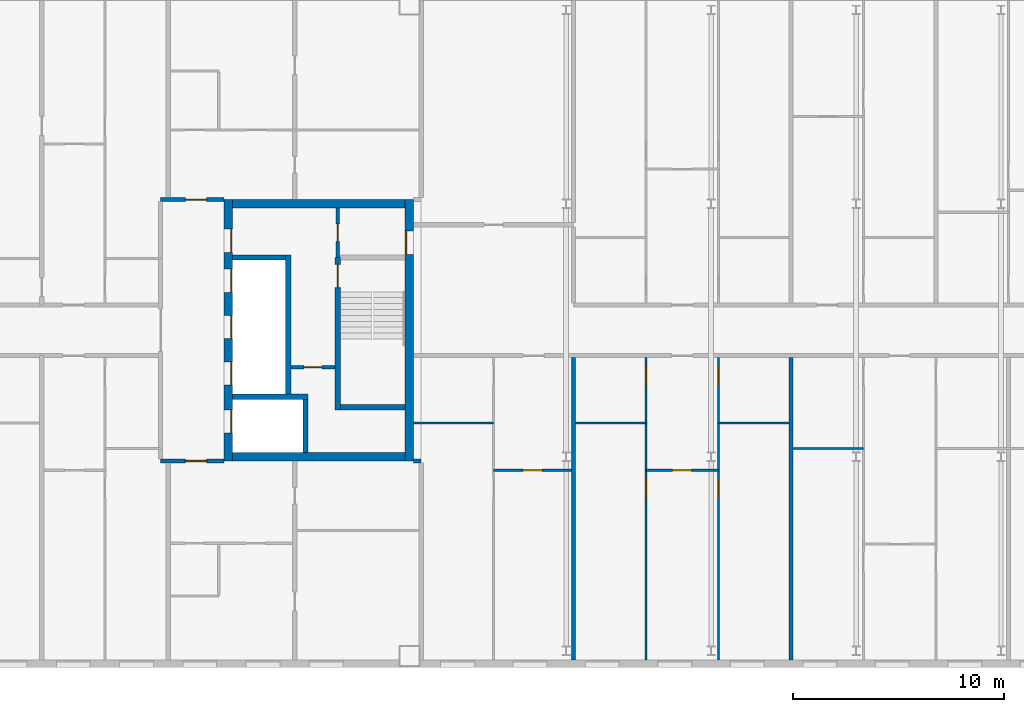
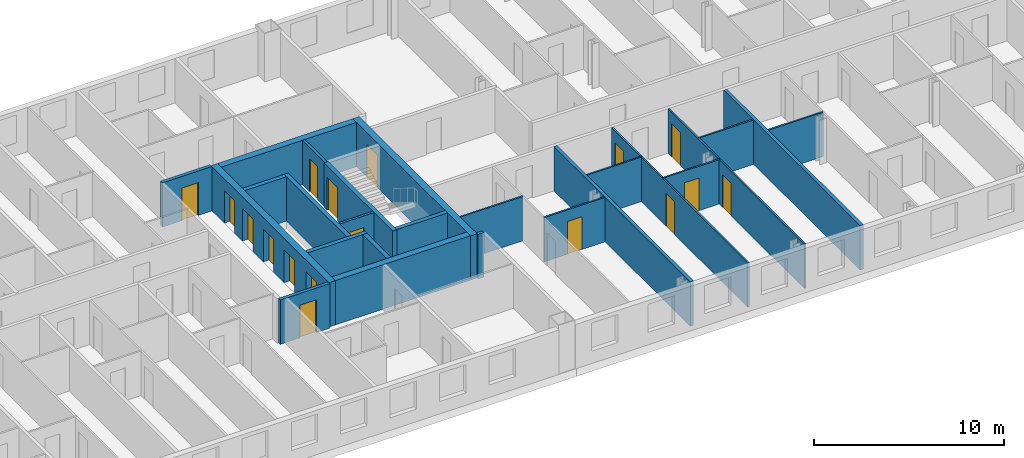
# One storey, part 8 of 19: 25 walls, 17 doors, 17 openings.
"""IFC4 building model written with IfcOpenShell, lengths in metres."""

from ifc_helpers import new_model, si_unit, direction, frame, frame_2d, origin, place, context, subcontext, project, spatial, rectangle, extrude, material, layer, layer_set, type_object, element, fill, save


model = new_model("IFC4")

# Units and contexts
model_context = context("Model", 3, precision=1e-05, world=origin(), true_north=direction((0.0, 1.0)))
body_context = subcontext(model_context, "Body", "Model", "MODEL_VIEW")
ifc_project = project(units=[si_unit("LENGTHUNIT", "METRE"), si_unit("AREAUNIT", "SQUARE_METRE"), si_unit("VOLUMEUNIT", "CUBIC_METRE"), si_unit("PLANEANGLEUNIT", "RADIAN"), si_unit("MASSUNIT", "GRAM", prefix="KILO")], contexts=[model_context])

# Site, building, storey
site_placement = place(None, origin())
site = spatial("IfcSite", under=ifc_project, at=site_placement, CompositionType="ELEMENT")
building_placement = place(site_placement, origin())
building = spatial("IfcBuilding", under=site, at=building_placement, Name="Tuart Gate Housing", CompositionType="ELEMENT")
storey_placement = place(building_placement, frame((0.0, 0.0, 202.800048828125)))
storey = spatial("IfcBuildingStorey", under=building, at=storey_placement, Name="L57", CompositionType="ELEMENT", Elevation=202.800048828125)

# Wall, opening, door
ifc_material_1 = material(Name="Plasterboard partition")
ifc_layer_1 = layer(ifc_material_1, 0.14990234375)
ifc_layer_set_1 = layer_set([ifc_layer_1], Name="Core partition 150")
wall_type_1 = type_object("IfcWallType", Name="Core partition 150", PredefinedType="PARTITIONING", material=ifc_layer_set_1)
wall_1_placement = place(storey_placement, frame((69.81494140625, 68.25, 0.0), z_axis=(0.0, 0.0, 1.0), x_axis=(1.0, 0.0, 0.0)))
wall_1 = element("IfcWall", 1, at=wall_1_placement, inside=storey, type_object=wall_type_1, Name="Core partition AG.3", PredefinedType="PARTITIONING", context=body_context, shape_type="SweptSolid", body=[
    extrude(rectangle(XDim=2.10009765625, YDim=0.14990234375, at=frame_2d((1.050048828125, 0.0))), origin(), (0.0, 0.0, 1.0), 2.849853515625),
])
opening_1_placement = place(wall_1_placement, frame((0.625, 0.0, 0.0)))
opening_1 = element("IfcOpeningElement", 2, at=opening_1_placement, cuts=wall_1, Name="Opening D1981", PredefinedType="OPENING", context=body_context, shape_type="SweptSolid", body=[
    extrude(rectangle(XDim=0.85009765625, YDim=2.10009765625, at=frame_2d((0.425048828125, 1.050048828125))), frame((0.0, 0.0849609375, 0.0), z_axis=(0.0, -1.0, 0.0), x_axis=(1.0, 0.0, 0.0)), (0.0, 0.0, 1.0), 0.169921875),
])
ifc_material_2 = material(Name="Steel fire door", Category="steel")
door_type_1 = type_object("IfcDoorType", Name="Riser door 850 x 2100 RH", OperationType="SINGLE_SWING_RIGHT", PredefinedType="DOOR", material=ifc_material_2)
door_1_placement = place(opening_1_placement, frame((0.85009765625, 0.0, 0.0), z_axis=(0.0, 0.0, 1.0), x_axis=(-1.0, 0.0, 0.0)))
door_1 = element("IfcDoor", 3, at=door_1_placement, inside=storey, type_object=door_type_1, Name="Service room door AG.E1", OperationType="SINGLE_SWING_RIGHT", OverallHeight=2.10009765625, OverallWidth=0.85009765625, PredefinedType="DOOR", context=body_context, shape_type="SweptSolid", body=[
    extrude(rectangle(XDim=0.85009765625, YDim=2.10009765625, at=frame_2d((0.425048828125, 1.050048828125))), frame((0.0, 0.025146484375, 0.0), z_axis=(0.0, -1.0, 0.0), x_axis=(1.0, 0.0, 0.0)), (0.0, 0.0, 1.0), 0.050048828125),
])
fill(opening_1, door_1)

wall_2_placement = place(storey_placement, frame((72.0400390625, 73.449951171875, 0.0), z_axis=(0.0, 0.0, 1.0), x_axis=(0.0, 1.0, 0.0)))
wall_2 = element("IfcWall", 4, at=wall_2_placement, inside=storey, type_object=wall_type_1, Name="Core partition AG.9", PredefinedType="PARTITIONING", context=body_context, shape_type="SweptSolid", body=[
    extrude(rectangle(XDim=2.35009765625, YDim=0.14990234375, at=frame_2d((1.175048828125, 0.0))), origin(), (0.0, 0.0, 1.0), 2.849853515625),
])
opening_2_placement = place(wall_2_placement, frame((0.75, 0.0, 0.0)))
opening_2 = element("IfcOpeningElement", 5, at=opening_2_placement, cuts=wall_2, Name="Opening D1966", PredefinedType="OPENING", context=body_context, shape_type="SweptSolid", body=[
    extrude(rectangle(XDim=0.85009765625, YDim=2.10009765625, at=frame_2d((0.425048828125, 1.050048828125))), frame((0.0, 0.0849609375, 0.0), z_axis=(0.0, -1.0, 0.0), x_axis=(1.0, 0.0, 0.0)), (0.0, 0.0, 1.0), 0.169921875),
])
ifc_material_3 = material(Name="Steel fire door", Category="steel")
door_type_2 = type_object("IfcDoorType", Name="Service door 850 x 2100 RH", OperationType="SINGLE_SWING_RIGHT", PredefinedType="DOOR", material=ifc_material_3)
door_2_placement = place(opening_2_placement, frame((0.85009765625, 0.0, 0.0), z_axis=(0.0, 0.0, 1.0), x_axis=(-1.0, 0.0, 0.0)))
door_2 = element("IfcDoor", 6, at=door_2_placement, inside=storey, type_object=door_type_2, Name="Service room door AG.ST", OperationType="SINGLE_SWING_RIGHT", OverallHeight=2.10009765625, OverallWidth=0.85009765625, PredefinedType="DOOR", context=body_context, shape_type="SweptSolid", body=[
    extrude(rectangle(XDim=0.85009765625, YDim=2.10009765625, at=frame_2d((0.425048828125, 1.050048828125))), frame((0.0, 0.025146484375, 0.0), z_axis=(0.0, -1.0, 0.0), x_axis=(1.0, 0.0, 0.0)), (0.0, 0.0, 1.0), 0.050048828125),
])
fill(opening_2, door_2)

# Walls
ifc_material_4 = material(Name="Concrete C40", Category="concrete")
ifc_layer_2 = layer(ifc_material_4, 0.25)
ifc_layer_set_2 = layer_set([ifc_layer_2], Name="Core wall 250 C40")
wall_type_2 = type_object("IfcWallType", Name="Core wall 250 C40", PredefinedType="SHEAR", material=ifc_layer_set_2)
wall_3_placement = place(storey_placement, frame((72.1650390625, 66.35009765625, 0.0), z_axis=(0.0, 0.0, 1.0), x_axis=(1.0, 0.0, 0.0)))
element("IfcWall", 7, at=wall_3_placement, inside=storey, type_object=wall_type_2, Name="Core wall AG.1", PredefinedType="SHEAR", context=body_context, shape_type="SweptSolid", body=[
    extrude(rectangle(XDim=3.074951171875, YDim=0.25, at=frame_2d((1.53759765625, 0.0))), origin(), (0.0, 0.0, 1.0), 2.849853515625),
])
wall_4_placement = place(storey_placement, frame((67.0400390625, 66.85009765625, 0.0), z_axis=(0.0, 0.0, 1.0), x_axis=(1.0, 0.0, 0.0)))
element("IfcWall", 8, at=wall_4_placement, inside=storey, type_object=wall_type_2, Name="Core wall AG.2", PredefinedType="SHEAR", context=body_context, shape_type="SweptSolid", body=[
    extrude(rectangle(XDim=3.594970703125, YDim=0.25, at=frame_2d((1.79736328125, 0.0))), origin(), (0.0, 0.0, 1.0), 2.849853515625),
])
wall_5_placement = place(storey_placement, frame((67.0400390625, 73.449951171875, 0.0), z_axis=(0.0, 0.0, 1.0), x_axis=(1.0, 0.0, 0.0)))
element("IfcWall", 9, at=wall_5_placement, inside=storey, type_object=wall_type_2, Name="Core wall AG.4", PredefinedType="SHEAR", context=body_context, shape_type="SweptSolid", body=[
    extrude(rectangle(XDim=2.52490234375, YDim=0.25, at=frame_2d((1.262451171875, 0.0))), origin(), (0.0, 0.0, 1.0), 2.849853515625),
])
wall_6_placement = place(storey_placement, frame((69.68994140625, 66.97509765625, 0.0), z_axis=(0.0, 0.0, 1.0), x_axis=(0.0, 1.0, 0.0)))
element("IfcWall", 10, at=wall_6_placement, inside=storey, type_object=wall_type_2, Name="Core wall AG.6", PredefinedType="SHEAR", context=body_context, shape_type="SweptSolid", body=[
    extrude(rectangle(XDim=6.599853515625, YDim=0.25, at=frame_2d((3.2998046875, 0.0))), origin(), (0.0, 0.0, 1.0), 2.849853515625),
])
wall_7_placement = place(storey_placement, frame((70.510009765625, 64.199951171875, 0.0), z_axis=(0.0, 0.0, 1.0), x_axis=(0.0, 1.0, 0.0)))
element("IfcWall", 11, at=wall_7_placement, inside=storey, type_object=wall_type_2, Name="Core wall AG.7", PredefinedType="SHEAR", context=body_context, shape_type="SweptSolid", body=[
    extrude(rectangle(XDim=2.525146484375, YDim=0.25, at=frame_2d((1.2626953125, 0.0))), origin(), (0.0, 0.0, 1.0), 2.849853515625),
])

# Wall, opening, door
wall_8_placement = place(storey_placement, frame((72.0400390625, 66.22509765625, 0.0), z_axis=(0.0, 0.0, 1.0), x_axis=(0.0, 1.0, 0.0)))
wall_8 = element("IfcWall", 12, at=wall_8_placement, inside=storey, type_object=wall_type_2, Name="Core wall AG.8", PredefinedType="SHEAR", context=body_context, shape_type="SweptSolid", body=[
    extrude(rectangle(XDim=7.224853515625, YDim=0.25, at=frame_2d((3.6123046875, 0.0))), origin(), (0.0, 0.0, 1.0), 2.849853515625),
])
opening_3_placement = place(wall_8_placement, frame((5.800048828125, 0.0, 0.0)))
opening_3 = element("IfcOpeningElement", 13, at=opening_3_placement, cuts=wall_8, Name="Opening D1977", PredefinedType="OPENING", context=body_context, shape_type="SweptSolid", body=[
    extrude(rectangle(XDim=1.10009765625, YDim=2.10009765625, at=frame_2d((0.550048828125, 1.050048828125))), frame((0.0, 0.135009765625, 0.0), z_axis=(0.0, -1.0, 0.0), x_axis=(1.0, 0.0, 0.0)), (0.0, 0.0, 1.0), 0.27001953125),
])
ifc_material_5 = material(Name="Steel fire door", Category="steel")
door_type_3 = type_object("IfcDoorType", Name="Stair door 1100 x 2100", OperationType="SINGLE_SWING_LEFT", PredefinedType="DOOR", material=ifc_material_5)
door_3_placement = place(opening_3_placement, frame((1.10009765625, 0.0, 0.0), z_axis=(0.0, 0.0, 1.0), x_axis=(-1.0, 0.0, 0.0)))
door_3 = element("IfcDoor", 14, at=door_3_placement, inside=storey, type_object=door_type_3, Name="Stair door AG.SD", OperationType="SINGLE_SWING_LEFT", OverallHeight=2.10009765625, OverallWidth=1.10009765625, PredefinedType="DOOR", context=body_context, shape_type="SweptSolid", body=[
    extrude(rectangle(XDim=1.10009765625, YDim=2.10009765625, at=frame_2d((0.550048828125, 1.050048828125))), frame((0.0, 0.025146484375, 0.0), z_axis=(0.0, -1.0, 0.0), x_axis=(1.0, 0.0, 0.0)), (0.0, 0.0, 1.0), 0.050048828125),
])
fill(opening_3, door_3)

# Wall, openings, doors
ifc_material_6 = material(Name="Concrete C40", Category="concrete")
ifc_layer_3 = layer(ifc_material_6, 0.39990234375)
ifc_layer_set_3 = layer_set([ifc_layer_3], Name="Core wall 400 C40")
wall_type_3 = type_object("IfcWallType", Name="Core wall 400 C40", PredefinedType="SHEAR", material=ifc_layer_set_3)
wall_9_placement = place(storey_placement, frame((66.840087890625, 63.800048828125, 0.0), z_axis=(0.0, 0.0, 1.0), x_axis=(0.0, 1.0, 0.0)))
wall_9 = element("IfcWall", 15, at=wall_9_placement, inside=storey, type_object=wall_type_3, Name="Core wall AG front", PredefinedType="SHEAR", context=body_context, shape_type="SweptSolid", body=[
    extrude(rectangle(XDim=12.39990234375, YDim=0.39990234375, at=frame_2d((6.199951171875, 0.0))), origin(), (0.0, 0.0, 1.0), 2.849853515625),
])
opening_4_placement = place(wall_9_placement, frame((1.324951171875, 0.0, 0.0)))
opening_4 = element("IfcOpeningElement", 16, at=opening_4_placement, cuts=wall_9, Name="Opening LD-FA1", PredefinedType="OPENING", context=body_context, shape_type="SweptSolid", body=[
    extrude(rectangle(XDim=1.10009765625, YDim=2.10009765625, at=frame_2d((0.550048828125, 1.050048828125))), frame((0.0, 0.2099609375, 0.0), z_axis=(0.0, -1.0, 0.0), x_axis=(1.0, 0.0, 0.0)), (0.0, 0.0, 1.0), 0.419921875),
])
opening_5_placement = place(wall_9_placement, frame((3.60009765625, 0.0, 0.0)))
opening_5 = element("IfcOpeningElement", 17, at=opening_5_placement, cuts=wall_9, Name="Opening LD-LA1", PredefinedType="OPENING", context=body_context, shape_type="SweptSolid", body=[
    extrude(rectangle(XDim=1.10009765625, YDim=2.10009765625, at=frame_2d((0.550048828125, 1.050048828125))), frame((0.0, 0.2099609375, 0.0), z_axis=(0.0, -1.0, 0.0), x_axis=(1.0, 0.0, 0.0)), (0.0, 0.0, 1.0), 0.419921875),
])
opening_6_placement = place(wall_9_placement, frame((5.800048828125, 0.0, 0.0)))
opening_6 = element("IfcOpeningElement", 18, at=opening_6_placement, cuts=wall_9, Name="Opening LD-LA2", PredefinedType="OPENING", context=body_context, shape_type="SweptSolid", body=[
    extrude(rectangle(XDim=1.10009765625, YDim=2.10009765625, at=frame_2d((0.550048828125, 1.050048828125))), frame((0.0, 0.2099609375, 0.0), z_axis=(0.0, -1.0, 0.0), x_axis=(1.0, 0.0, 0.0)), (0.0, 0.0, 1.0), 0.419921875),
])
opening_7_placement = place(wall_9_placement, frame((8.0, 0.0, 0.0)))
opening_7 = element("IfcOpeningElement", 19, at=opening_7_placement, cuts=wall_9, Name="Opening LD-LA3", PredefinedType="OPENING", context=body_context, shape_type="SweptSolid", body=[
    extrude(rectangle(XDim=1.10009765625, YDim=2.10009765625, at=frame_2d((0.550048828125, 1.050048828125))), frame((0.0, 0.2099609375, 0.0), z_axis=(0.0, -1.0, 0.0), x_axis=(1.0, 0.0, 0.0)), (0.0, 0.0, 1.0), 0.419921875),
])
opening_8_placement = place(wall_9_placement, frame((9.89990234375, 0.0, 0.0)))
opening_8 = element("IfcOpeningElement", 20, at=opening_8_placement, cuts=wall_9, Name="Opening D1975", PredefinedType="OPENING", context=body_context, shape_type="SweptSolid", body=[
    extrude(rectangle(XDim=1.10009765625, YDim=2.10009765625, at=frame_2d((0.550048828125, 1.050048828125))), frame((0.0, 0.2099609375, 0.0), z_axis=(0.0, -1.0, 0.0), x_axis=(1.0, 0.0, 0.0)), (0.0, 0.0, 1.0), 0.419921875),
])
ifc_material_7 = material(Name="Stainless steel", Category="steel")
door_type_4 = type_object("IfcDoorType", Name="Landing door 1100 x 2100", OperationType="DOUBLE_DOOR_SLIDING", PredefinedType="DOOR", material=ifc_material_7)
door_4_placement = place(opening_4_placement, origin())
door_4 = element("IfcDoor", 21, at=door_4_placement, inside=storey, type_object=door_type_4, Name="Lift landing door FA1", OperationType="DOUBLE_DOOR_SLIDING", OverallHeight=2.10009765625, OverallWidth=1.10009765625, PredefinedType="DOOR", context=body_context, shape_type="SweptSolid", body=[
    extrude(rectangle(XDim=1.10009765625, YDim=2.10009765625, at=frame_2d((0.550048828125, 1.050048828125))), frame((0.0, -0.134765625, 0.0), z_axis=(0.0, -1.0, 0.0), x_axis=(1.0, 0.0, 0.0)), (0.0, 0.0, 1.0), 0.050048828125),
])
fill(opening_4, door_4)
door_5_placement = place(opening_5_placement, origin())
door_5 = element("IfcDoor", 22, at=door_5_placement, inside=storey, type_object=door_type_4, Name="Lift landing door LA1", OperationType="DOUBLE_DOOR_SLIDING", OverallHeight=2.10009765625, OverallWidth=1.10009765625, PredefinedType="DOOR", context=body_context, shape_type="SweptSolid", body=[
    extrude(rectangle(XDim=1.10009765625, YDim=2.10009765625, at=frame_2d((0.550048828125, 1.050048828125))), frame((0.0, -0.134765625, 0.0), z_axis=(0.0, -1.0, 0.0), x_axis=(1.0, 0.0, 0.0)), (0.0, 0.0, 1.0), 0.050048828125),
])
fill(opening_5, door_5)
door_6_placement = place(opening_6_placement, origin())
door_6 = element("IfcDoor", 23, at=door_6_placement, inside=storey, type_object=door_type_4, Name="Lift landing door LA2", OperationType="DOUBLE_DOOR_SLIDING", OverallHeight=2.10009765625, OverallWidth=1.10009765625, PredefinedType="DOOR", context=body_context, shape_type="SweptSolid", body=[
    extrude(rectangle(XDim=1.10009765625, YDim=2.10009765625, at=frame_2d((0.550048828125, 1.050048828125))), frame((0.0, -0.134765625, 0.0), z_axis=(0.0, -1.0, 0.0), x_axis=(1.0, 0.0, 0.0)), (0.0, 0.0, 1.0), 0.050048828125),
])
fill(opening_6, door_6)
door_7_placement = place(opening_7_placement, origin())
door_7 = element("IfcDoor", 24, at=door_7_placement, inside=storey, type_object=door_type_4, Name="Lift landing door LA3", OperationType="DOUBLE_DOOR_SLIDING", OverallHeight=2.10009765625, OverallWidth=1.10009765625, PredefinedType="DOOR", context=body_context, shape_type="SweptSolid", body=[
    extrude(rectangle(XDim=1.10009765625, YDim=2.10009765625, at=frame_2d((0.550048828125, 1.050048828125))), frame((0.0, -0.134765625, 0.0), z_axis=(0.0, -1.0, 0.0), x_axis=(1.0, 0.0, 0.0)), (0.0, 0.0, 1.0), 0.050048828125),
])
fill(opening_7, door_7)
ifc_material_8 = material(Name="Steel fire door", Category="steel")
door_type_5 = type_object("IfcDoorType", Name="Lobby door 1100 x 2100 RH", OperationType="SINGLE_SWING_RIGHT", PredefinedType="DOOR", material=ifc_material_8)
door_8_placement = place(opening_8_placement, frame((1.10009765625, 0.0, 0.0), z_axis=(0.0, 0.0, 1.0), x_axis=(-1.0, 0.0, 0.0)))
door_8 = element("IfcDoor", 25, at=door_8_placement, inside=storey, type_object=door_type_5, Name="Lobby entry door AG.EN", OperationType="SINGLE_SWING_RIGHT", OverallHeight=2.10009765625, OverallWidth=1.10009765625, PredefinedType="DOOR", context=body_context, shape_type="SweptSolid", body=[
    extrude(rectangle(XDim=1.10009765625, YDim=2.10009765625, at=frame_2d((0.550048828125, 1.050048828125))), frame((0.0, 0.184814453125, 0.0), z_axis=(0.0, -1.0, 0.0), x_axis=(1.0, 0.0, 0.0)), (0.0, 0.0, 1.0), 0.050048828125),
])
fill(opening_8, door_8)

# Wall, opening, door
wall_10_placement = place(storey_placement, frame((75.43994140625, 63.800048828125, 0.0), z_axis=(0.0, 0.0, 1.0), x_axis=(0.0, 1.0, 0.0)))
wall_10 = element("IfcWall", 26, at=wall_10_placement, inside=storey, type_object=wall_type_3, Name="Core wall AG back", PredefinedType="SHEAR", context=body_context, shape_type="SweptSolid", body=[
    extrude(rectangle(XDim=12.39990234375, YDim=0.39990234375, at=frame_2d((6.199951171875, 0.0))), origin(), (0.0, 0.0, 1.0), 2.849853515625),
])
opening_9_placement = place(wall_10_placement, frame((9.800048828125, 0.0, 0.0)))
opening_9 = element("IfcOpeningElement", 27, at=opening_9_placement, cuts=wall_10, Name="Opening D1976", PredefinedType="OPENING", context=body_context, shape_type="SweptSolid", body=[
    extrude(rectangle(XDim=1.10009765625, YDim=2.10009765625, at=frame_2d((0.550048828125, 1.050048828125))), frame((0.0, 0.2099609375, 0.0), z_axis=(0.0, -1.0, 0.0), x_axis=(1.0, 0.0, 0.0)), (0.0, 0.0, 1.0), 0.419921875),
])
ifc_material_9 = material(Name="Steel fire door", Category="steel")
door_type_6 = type_object("IfcDoorType", Name="Lobby door 1100 x 2100", OperationType="SINGLE_SWING_LEFT", PredefinedType="DOOR", material=ifc_material_9)
door_9_placement = place(opening_9_placement, origin())
door_9 = element("IfcDoor", 28, at=door_9_placement, inside=storey, type_object=door_type_6, Name="Link door AG.LK", OperationType="SINGLE_SWING_LEFT", OverallHeight=2.10009765625, OverallWidth=1.10009765625, PredefinedType="DOOR", context=body_context, shape_type="SweptSolid", body=[
    extrude(rectangle(XDim=1.10009765625, YDim=2.10009765625, at=frame_2d((0.550048828125, 1.050048828125))), frame((0.0, 0.18505859375, 0.0), z_axis=(0.0, -1.0, 0.0), x_axis=(1.0, 0.0, 0.0)), (0.0, 0.0, 1.0), 0.050048828125),
])
fill(opening_9, door_9)

# Walls
for number, where, z_axis, x_axis, name in (
    (29, (67.0400390625, 64.0, 0.0), (0.0, 0.0, 1.0), (1.0, 0.0, 0.0), "Core wall AG south"),
    (30, (67.0400390625, 76.0, 0.0), (0.0, 0.0, 1.0), (1.0, 0.0, 0.0), "Core wall AG north"),
):
    element("IfcWall", number, at=place(storey_placement, frame(where, z_axis=z_axis, x_axis=x_axis)), inside=storey, type_object=wall_type_3, Name=name, PredefinedType="SHEAR", context=body_context, shape_type="SweptSolid", body=[
        extrude(rectangle(XDim=8.199951171875, YDim=0.39990234375, at=frame_2d((4.10009765625, 0.0))), origin(), (0.0, 0.0, 1.0), 2.849853515625),
    ])

# Wall, opening, door
ifc_material_10 = material(Name="Concrete masonry 15 MPa", Category="masonry")
ifc_layer_4 = layer(ifc_material_10, 0.199951171875)
ifc_layer_set_4 = layer_set([ifc_layer_4], Name="Enclosure wall masonry 200")
wall_type_4 = type_object("IfcWallType", Name="Enclosure wall masonry 200", PredefinedType="PARTITIONING", material=ifc_layer_set_4)
wall_11_placement = place(storey_placement, frame((63.639892578125, 63.800048828125, 0.0), z_axis=(0.0, 0.0, 1.0), x_axis=(1.0, 0.0, 0.0)))
wall_11 = element("IfcWall", 31, at=wall_11_placement, inside=storey, type_object=wall_type_4, Name="Enclosure wall masonry 200", PredefinedType="PARTITIONING", context=body_context, shape_type="SweptSolid", body=[
    extrude(rectangle(XDim=3.0, YDim=0.199951171875, at=frame_2d((1.5, 0.0))), origin(), (0.0, 0.0, 1.0), 2.849853515625),
])
opening_10_placement = place(wall_11_placement, frame((1.179931640625, 0.0, 0.0)))
opening_10 = element("IfcOpeningElement", 32, at=opening_10_placement, cuts=wall_11, Name="Opening D1984", PredefinedType="OPENING", context=body_context, shape_type="SweptSolid", body=[
    extrude(rectangle(XDim=1.0, YDim=2.10009765625, at=frame_2d((0.5, 1.050048828125))), frame((0.0, 0.10986328125, 0.0), z_axis=(0.0, -1.0, 0.0), x_axis=(1.0, 0.0, 0.0)), (0.0, 0.0, 1.0), 0.219970703125),
])
ifc_material_11 = material(Name="Timber door leaf in steel frame", Category="steel")
door_type_7 = type_object("IfcDoorType", Name="Flat entrance door 1000 RH", OperationType="SINGLE_SWING_RIGHT", PredefinedType="DOOR", material=ifc_material_11)
door_10_placement = place(opening_10_placement, frame((1.0, 0.0, 0.0), z_axis=(0.0, 0.0, 1.0), x_axis=(-1.0, 0.0, 0.0)))
door_10 = element("IfcDoor", 33, at=door_10_placement, inside=storey, type_object=door_type_7, Name="Flat entrance door", OperationType="SINGLE_SWING_RIGHT", OverallHeight=2.10009765625, OverallWidth=1.0, PredefinedType="DOOR", context=body_context, shape_type="SweptSolid", body=[
    extrude(rectangle(XDim=1.0, YDim=2.10009765625, at=frame_2d((0.5, 1.050048828125))), frame((0.0, 0.025146484375, 0.0), z_axis=(0.0, -1.0, 0.0), x_axis=(1.0, 0.0, 0.0)), (0.0, 0.0, 1.0), 0.050048828125),
])
fill(opening_10, door_10)

wall_12_placement = place(storey_placement, frame((63.639892578125, 76.199951171875, 0.0), z_axis=(0.0, 0.0, 1.0), x_axis=(1.0, 0.0, 0.0)))
wall_12 = element("IfcWall", 34, at=wall_12_placement, inside=storey, type_object=wall_type_4, Name="Enclosure wall masonry 200", PredefinedType="PARTITIONING", context=body_context, shape_type="SweptSolid", body=[
    extrude(rectangle(XDim=3.0, YDim=0.199951171875, at=frame_2d((1.5, 0.0))), origin(), (0.0, 0.0, 1.0), 2.849853515625),
])
opening_11_placement = place(wall_12_placement, frame((1.179931640625, 0.0, 0.0)))
opening_11 = element("IfcOpeningElement", 35, at=opening_11_placement, cuts=wall_12, Name="Opening D1965", PredefinedType="OPENING", context=body_context, shape_type="SweptSolid", body=[
    extrude(rectangle(XDim=1.0, YDim=2.10009765625, at=frame_2d((0.5, 1.050048828125))), frame((0.0, 0.10986328125, 0.0), z_axis=(0.0, -1.0, 0.0), x_axis=(1.0, 0.0, 0.0)), (0.0, 0.0, 1.0), 0.219970703125),
])
ifc_material_12 = material(Name="Timber door leaf in steel frame", Category="steel")
door_type_8 = type_object("IfcDoorType", Name="Flat entrance door 1000", OperationType="SINGLE_SWING_LEFT", PredefinedType="DOOR", material=ifc_material_12)
door_11_placement = place(opening_11_placement, origin())
door_11 = element("IfcDoor", 36, at=door_11_placement, inside=storey, type_object=door_type_8, Name="Flat entrance door", OperationType="SINGLE_SWING_LEFT", OverallHeight=2.10009765625, OverallWidth=1.0, PredefinedType="DOOR", context=body_context, shape_type="SweptSolid", body=[
    extrude(rectangle(XDim=1.0, YDim=2.10009765625, at=frame_2d((0.5, 1.050048828125))), frame((0.0, 0.02490234375, 0.0), z_axis=(0.0, -1.0, 0.0), x_axis=(1.0, 0.0, 0.0)), (0.0, 0.0, 1.0), 0.050048828125),
])
fill(opening_11, door_11)

ifc_material_13 = material(Name="Gypsum board on steel studs", Category="steel")
ifc_layer_5 = layer(ifc_material_13, 0.10009765625)
ifc_layer_set_5 = layer_set([ifc_layer_5], Name="Partition 100")
wall_type_5 = type_object("IfcWallType", Name="Partition 100", PredefinedType="PARTITIONING", material=ifc_layer_set_5)
wall_13_placement = place(storey_placement, frame((79.43798828125, 63.360107421875, 0.0), z_axis=(0.0, 0.0, 1.0), x_axis=(1.0, 0.0, 0.0)))
wall_13 = element("IfcWall", 37, at=wall_13_placement, inside=storey, type_object=wall_type_5, Name="Partition 100", PredefinedType="PARTITIONING", context=body_context, shape_type="SweptSolid", body=[
    extrude(rectangle(XDim=3.68701171875, YDim=0.10009765625, at=frame_2d((1.843505859375, 0.0))), origin(), (0.0, 0.0, 1.0), 2.849853515625),
])
opening_12_placement = place(wall_13_placement, frame((1.3935546875, 0.0, 0.0)))
opening_12 = element("IfcOpeningElement", 38, at=opening_12_placement, cuts=wall_13, Name="Opening D2035", PredefinedType="OPENING", context=body_context, shape_type="SweptSolid", body=[
    extrude(rectangle(XDim=0.89990234375, YDim=2.10009765625, at=frame_2d((0.449951171875, 1.050048828125))), frame((0.0, 0.06005859375, 0.0), z_axis=(0.0, -1.0, 0.0), x_axis=(1.0, 0.0, 0.0)), (0.0, 0.0, 1.0), 0.1201171875),
])
ifc_material_14 = material(Name="Timber door leaf in steel frame", Category="steel")
door_type_9 = type_object("IfcDoorType", Name="Internal door 900", OperationType="SINGLE_SWING_LEFT", PredefinedType="DOOR", material=ifc_material_14)
door_12_placement = place(opening_12_placement, origin())
door_12 = element("IfcDoor", 39, at=door_12_placement, inside=storey, type_object=door_type_9, Name="Internal door", OperationType="SINGLE_SWING_LEFT", OverallHeight=2.10009765625, OverallWidth=0.89990234375, PredefinedType="DOOR", context=body_context, shape_type="SweptSolid", body=[
    extrude(rectangle(XDim=0.89990234375, YDim=2.10009765625, at=frame_2d((0.449951171875, 1.050048828125))), frame((0.0, 0.02490234375, 0.0), z_axis=(0.0, -1.0, 0.0), x_axis=(1.0, 0.0, 0.0)), (0.0, 0.0, 1.0), 0.050048828125),
])
fill(opening_12, door_12)

wall_14_placement = place(storey_placement, frame((86.662109375, 63.360107421875, 0.0), z_axis=(0.0, 0.0, 1.0), x_axis=(1.0, 0.0, 0.0)))
wall_14 = element("IfcWall", 40, at=wall_14_placement, inside=storey, type_object=wall_type_5, Name="Partition 100", PredefinedType="PARTITIONING", context=body_context, shape_type="SweptSolid", body=[
    extrude(rectangle(XDim=3.43798828125, YDim=0.10009765625, at=frame_2d((1.718994140625, 0.0))), origin(), (0.0, 0.0, 1.0), 2.849853515625),
])
opening_13_placement = place(wall_14_placement, frame((1.26904296875, 0.0, 0.0)))
opening_13 = element("IfcOpeningElement", 41, at=opening_13_placement, cuts=wall_14, Name="Opening D2036", PredefinedType="OPENING", context=body_context, shape_type="SweptSolid", body=[
    extrude(rectangle(XDim=0.89990234375, YDim=2.10009765625, at=frame_2d((0.449951171875, 1.050048828125))), frame((0.0, 0.06005859375, 0.0), z_axis=(0.0, -1.0, 0.0), x_axis=(1.0, 0.0, 0.0)), (0.0, 0.0, 1.0), 0.1201171875),
])
door_13_placement = place(opening_13_placement, origin())
door_13 = element("IfcDoor", 42, at=door_13_placement, inside=storey, type_object=door_type_9, Name="Internal door", OperationType="SINGLE_SWING_LEFT", OverallHeight=2.10009765625, OverallWidth=0.89990234375, PredefinedType="DOOR", context=body_context, shape_type="SweptSolid", body=[
    extrude(rectangle(XDim=0.89990234375, YDim=2.10009765625, at=frame_2d((0.449951171875, 1.050048828125))), frame((0.0, 0.02490234375, 0.0), z_axis=(0.0, -1.0, 0.0), x_axis=(1.0, 0.0, 0.0)), (0.0, 0.0, 1.0), 0.050048828125),
])
fill(opening_13, door_13)

# Walls
wall_15_placement = place(storey_placement, frame((93.636962890625, 64.39990234375, 0.0), z_axis=(0.0, 0.0, 1.0), x_axis=(1.0, 0.0, 0.0)))
element("IfcWall", 43, at=wall_15_placement, inside=storey, type_object=wall_type_5, Name="Partition 100", PredefinedType="PARTITIONING", context=body_context, shape_type="SweptSolid", body=[
    extrude(rectangle(XDim=3.338134765625, YDim=0.10009765625, at=frame_2d((1.6689453125, 0.0))), origin(), (0.0, 0.0, 1.0), 2.849853515625),
])
wall_16_placement = place(storey_placement, frame((75.639892578125, 65.60009765625, 0.0), z_axis=(0.0, 0.0, 1.0), x_axis=(1.0, 0.0, 0.0)))
element("IfcWall", 44, at=wall_16_placement, inside=storey, type_object=wall_type_5, Name="Partition 100", PredefinedType="PARTITIONING", context=body_context, shape_type="SweptSolid", body=[
    extrude(rectangle(XDim=3.798095703125, YDim=0.10009765625, at=frame_2d((1.89892578125, 0.0))), origin(), (0.0, 0.0, 1.0), 2.849853515625),
])
wall_17_placement = place(storey_placement, frame((83.324951171875, 65.60009765625, 0.0), z_axis=(0.0, 0.0, 1.0), x_axis=(1.0, 0.0, 0.0)))
element("IfcWall", 45, at=wall_17_placement, inside=storey, type_object=wall_type_5, Name="Partition 100", PredefinedType="PARTITIONING", context=body_context, shape_type="SweptSolid", body=[
    extrude(rectangle(XDim=3.337158203125, YDim=0.10009765625, at=frame_2d((1.66845703125, 0.0))), origin(), (0.0, 0.0, 1.0), 2.849853515625),
])
wall_18_placement = place(storey_placement, frame((90.10009765625, 65.60009765625, 0.0), z_axis=(0.0, 0.0, 1.0), x_axis=(1.0, 0.0, 0.0)))
element("IfcWall", 46, at=wall_18_placement, inside=storey, type_object=wall_type_5, Name="Partition 100", PredefinedType="PARTITIONING", context=body_context, shape_type="SweptSolid", body=[
    extrude(rectangle(XDim=3.3369140625, YDim=0.10009765625, at=frame_2d((1.66845703125, 0.0))), origin(), (0.0, 0.0, 1.0), 2.849853515625),
])

# Wall, openings, doors
wall_19_placement = place(storey_placement, frame((86.662109375, 54.360107421875, 0.0), z_axis=(0.0, 0.0, 1.0), x_axis=(0.0, 1.0, 0.0)))
wall_19 = element("IfcWall", 47, at=wall_19_placement, inside=storey, type_object=wall_type_5, Name="Partition 100", PredefinedType="PARTITIONING", context=body_context, shape_type="SweptSolid", body=[
    extrude(rectangle(XDim=14.33984375, YDim=0.10009765625, at=frame_2d((7.169921875, 0.0))), origin(), (0.0, 0.0, 1.0), 2.849853515625),
])
opening_14_placement = place(wall_19_placement, frame((7.699951171875, 0.0, 0.0)))
opening_14 = element("IfcOpeningElement", 48, at=opening_14_placement, cuts=wall_19, Name="Opening D2042", PredefinedType="OPENING", context=body_context, shape_type="SweptSolid", body=[
    extrude(rectangle(XDim=0.89990234375, YDim=2.10009765625, at=frame_2d((0.449951171875, 1.050048828125))), frame((0.0, 0.06005859375, 0.0), z_axis=(0.0, -1.0, 0.0), x_axis=(1.0, 0.0, 0.0)), (0.0, 0.0, 1.0), 0.1201171875),
])
opening_15_placement = place(wall_19_placement, frame((13.0400390625, 0.0, 0.0)))
opening_15 = element("IfcOpeningElement", 49, at=opening_15_placement, cuts=wall_19, Name="Opening D2041", PredefinedType="OPENING", context=body_context, shape_type="SweptSolid", body=[
    extrude(rectangle(XDim=0.89990234375, YDim=2.10009765625, at=frame_2d((0.449951171875, 1.050048828125))), frame((0.0, 0.06005859375, 0.0), z_axis=(0.0, -1.0, 0.0), x_axis=(1.0, 0.0, 0.0)), (0.0, 0.0, 1.0), 0.1201171875),
])
ifc_material_15 = material(Name="Timber door leaf in steel frame", Category="steel")
door_type_10 = type_object("IfcDoorType", Name="Bathroom door 900 RH", OperationType="SINGLE_SWING_RIGHT", PredefinedType="DOOR", material=ifc_material_15)
door_14_placement = place(opening_15_placement, origin())
door_14 = element("IfcDoor", 50, at=door_14_placement, inside=storey, type_object=door_type_10, Name="Bathroom door", OperationType="SINGLE_SWING_RIGHT", OverallHeight=2.10009765625, OverallWidth=0.89990234375, PredefinedType="DOOR", context=body_context, shape_type="SweptSolid", body=[
    extrude(rectangle(XDim=0.89990234375, YDim=2.10009765625, at=frame_2d((0.449951171875, 1.050048828125))), frame((0.0, 0.02490234375, 0.0), z_axis=(0.0, -1.0, 0.0), x_axis=(1.0, 0.0, 0.0)), (0.0, 0.0, 1.0), 0.050048828125),
])
fill(opening_15, door_14)
ifc_material_16 = material(Name="Timber door leaf in steel frame", Category="steel")
door_type_11 = type_object("IfcDoorType", Name="Internal door 900 RH", OperationType="SINGLE_SWING_RIGHT", PredefinedType="DOOR", material=ifc_material_16)
door_15_placement = place(opening_14_placement, origin())
door_15 = element("IfcDoor", 51, at=door_15_placement, inside=storey, type_object=door_type_11, Name="Internal door", OperationType="SINGLE_SWING_RIGHT", OverallHeight=2.10009765625, OverallWidth=0.89990234375, PredefinedType="DOOR", context=body_context, shape_type="SweptSolid", body=[
    extrude(rectangle(XDim=0.89990234375, YDim=2.10009765625, at=frame_2d((0.449951171875, 1.050048828125))), frame((0.0, 0.02490234375, 0.0), z_axis=(0.0, -1.0, 0.0), x_axis=(1.0, 0.0, 0.0)), (0.0, 0.0, 1.0), 0.050048828125),
])
fill(opening_14, door_15)

wall_20_placement = place(storey_placement, frame((90.10009765625, 54.360107421875, 0.0), z_axis=(0.0, 0.0, 1.0), x_axis=(0.0, 1.0, 0.0)))
wall_20 = element("IfcWall", 52, at=wall_20_placement, inside=storey, type_object=wall_type_5, Name="Partition 100", PredefinedType="PARTITIONING", context=body_context, shape_type="SweptSolid", body=[
    extrude(rectangle(XDim=14.33984375, YDim=0.10009765625, at=frame_2d((7.169921875, 0.0))), origin(), (0.0, 0.0, 1.0), 2.849853515625),
])
opening_16_placement = place(wall_20_placement, frame((7.699951171875, 0.0, 0.0)))
opening_16 = element("IfcOpeningElement", 53, at=opening_16_placement, cuts=wall_20, Name="Opening D2044", PredefinedType="OPENING", context=body_context, shape_type="SweptSolid", body=[
    extrude(rectangle(XDim=0.89990234375, YDim=2.10009765625, at=frame_2d((0.449951171875, 1.050048828125))), frame((0.0, 0.06005859375, 0.0), z_axis=(0.0, -1.0, 0.0), x_axis=(1.0, 0.0, 0.0)), (0.0, 0.0, 1.0), 0.1201171875),
])
opening_17_placement = place(wall_20_placement, frame((13.0400390625, 0.0, 0.0)))
opening_17 = element("IfcOpeningElement", 54, at=opening_17_placement, cuts=wall_20, Name="Opening D2043", PredefinedType="OPENING", context=body_context, shape_type="SweptSolid", body=[
    extrude(rectangle(XDim=0.89990234375, YDim=2.10009765625, at=frame_2d((0.449951171875, 1.050048828125))), frame((0.0, 0.06005859375, 0.0), z_axis=(0.0, -1.0, 0.0), x_axis=(1.0, 0.0, 0.0)), (0.0, 0.0, 1.0), 0.1201171875),
])
ifc_material_17 = material(Name="Timber door leaf in steel frame", Category="steel")
door_type_12 = type_object("IfcDoorType", Name="Bathroom door 900", OperationType="SINGLE_SWING_LEFT", PredefinedType="DOOR", material=ifc_material_17)
door_16_placement = place(opening_17_placement, frame((0.89990234375, 0.0, 0.0), z_axis=(0.0, 0.0, 1.0), x_axis=(-1.0, 0.0, 0.0)))
door_16 = element("IfcDoor", 55, at=door_16_placement, inside=storey, type_object=door_type_12, Name="Bathroom door", OperationType="SINGLE_SWING_LEFT", OverallHeight=2.10009765625, OverallWidth=0.89990234375, PredefinedType="DOOR", context=body_context, shape_type="SweptSolid", body=[
    extrude(rectangle(XDim=0.89990234375, YDim=2.10009765625, at=frame_2d((0.449951171875, 1.050048828125))), frame((0.0, 0.025146484375, 0.0), z_axis=(0.0, -1.0, 0.0), x_axis=(1.0, 0.0, 0.0)), (0.0, 0.0, 1.0), 0.050048828125),
])
fill(opening_17, door_16)
door_17_placement = place(opening_16_placement, frame((0.89990234375, 0.0, 0.0), z_axis=(0.0, 0.0, 1.0), x_axis=(-1.0, 0.0, 0.0)))
door_17 = element("IfcDoor", 56, at=door_17_placement, inside=storey, type_object=door_type_9, Name="Internal door", OperationType="SINGLE_SWING_LEFT", OverallHeight=2.10009765625, OverallWidth=0.89990234375, PredefinedType="DOOR", context=body_context, shape_type="SweptSolid", body=[
    extrude(rectangle(XDim=0.89990234375, YDim=2.10009765625, at=frame_2d((0.449951171875, 1.050048828125))), frame((0.0, 0.025146484375, 0.0), z_axis=(0.0, -1.0, 0.0), x_axis=(1.0, 0.0, 0.0)), (0.0, 0.0, 1.0), 0.050048828125),
])
fill(opening_16, door_17)

# Walls
ifc_material_18 = material(Name="Concrete masonry 15 MPa", Category="masonry")
ifc_layer_6 = layer(ifc_material_18, 0.199951171875)
ifc_layer_set_6 = layer_set([ifc_layer_6], Name="Party wall masonry 200")
wall_type_6 = type_object("IfcWallType", Name="Party wall masonry 200", PredefinedType="PARTITIONING", material=ifc_layer_set_6)
wall_21_placement = place(storey_placement, frame((75.639892578125, 63.800048828125, 0.0), z_axis=(0.0, 0.0, 1.0), x_axis=(1.0, 0.0, 0.0)))
element("IfcWall", 57, at=wall_21_placement, inside=storey, type_object=wall_type_6, Name="Party wall masonry 200", PredefinedType="PARTITIONING", context=body_context, shape_type="SweptSolid", body=[
    extrude(rectangle(XDim=0.360107421875, YDim=0.199951171875, at=frame_2d((0.18017578125, 0.0))), origin(), (0.0, 0.0, 1.0), 2.849853515625),
])
for number, where, z_axis, x_axis, name in (
    (58, (83.22509765625, 54.360107421875, 0.0), (0.0, 0.0, 1.0), (0.0, 1.0, 0.0), "Party wall masonry 200"),
    (59, (93.537109375, 54.360107421875, 0.0), (0.0, 0.0, 1.0), (0.0, 1.0, 0.0), "Party wall masonry 200"),
):
    element("IfcWall", number, at=place(storey_placement, frame(where, z_axis=z_axis, x_axis=x_axis)), inside=storey, type_object=wall_type_6, Name=name, PredefinedType="PARTITIONING", context=body_context, shape_type="SweptSolid", body=[
        extrude(rectangle(XDim=14.33984375, YDim=0.199951171875, at=frame_2d((7.169921875, 0.0))), origin(), (0.0, 0.0, 1.0), 2.849853515625),
    ])

save(model, "model.ifc")
